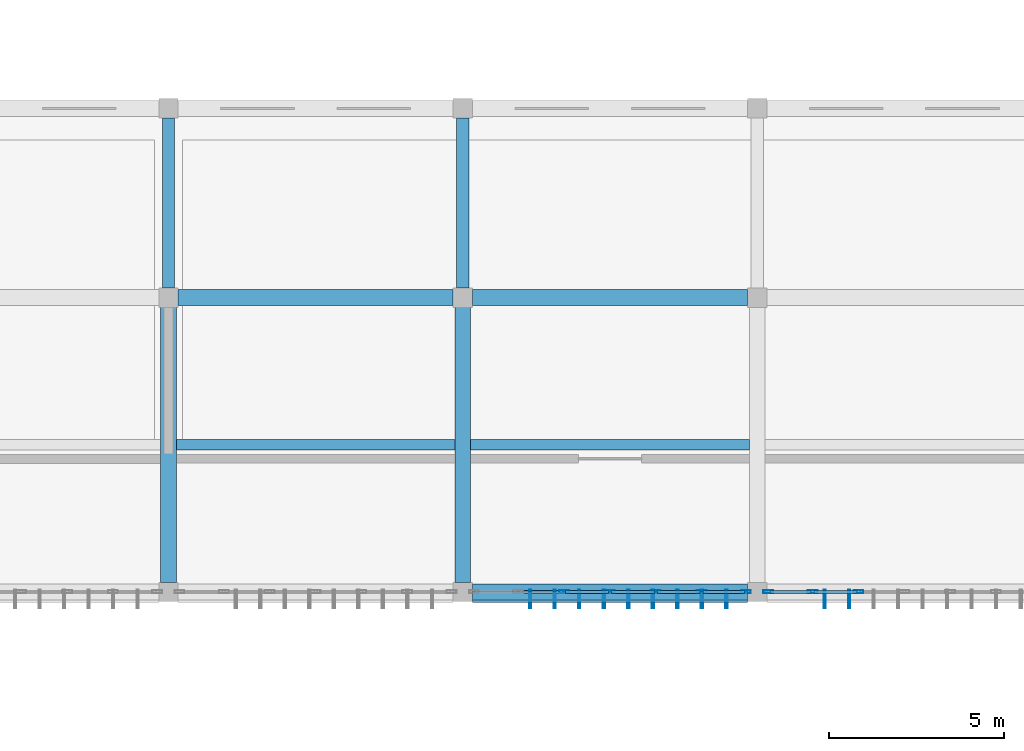
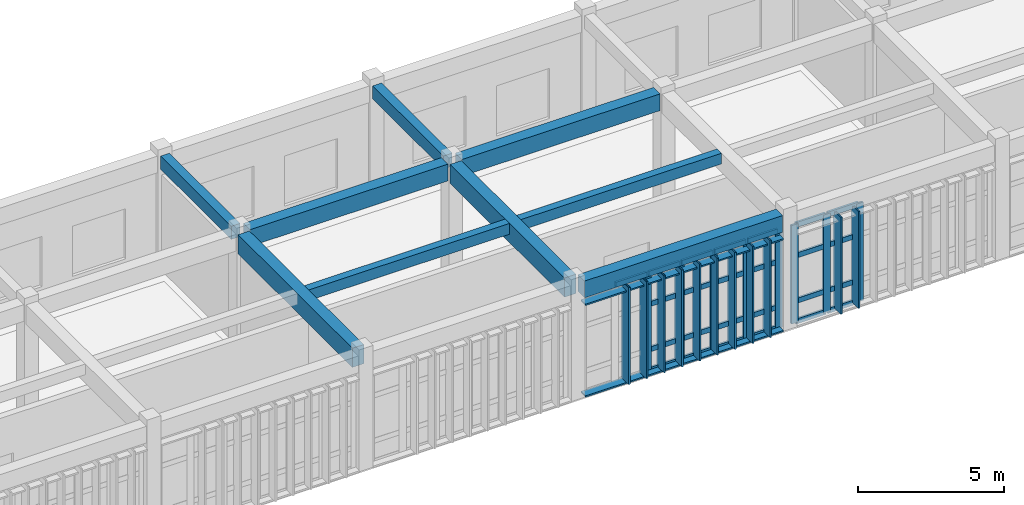
# One storey, part 45 of 106: 46 members, 9 beams, 2 elements without a shape of their own.
"""IFC4 building model written with IfcOpenShell, lengths in metres."""

from ifc_helpers import new_model, si_unit, direction, frame, origin, origin_2d, place, context, subcontext, project, spatial, rectangle, hollow_rectangle, extrude, material, layer, layer_set, material_profile, profile_set, type_object, element, aggregate, save


model = new_model("IFC4")

# Units and contexts
model_context = context("Model", 3, precision=1e-05, world=origin(), true_north=direction((0.0, 1.0)))
body_context = subcontext(model_context, "Body", "Model", "MODEL_VIEW")
ifc_project = project(units=[si_unit("LENGTHUNIT", "METRE"), si_unit("AREAUNIT", "SQUARE_METRE"), si_unit("VOLUMEUNIT", "CUBIC_METRE"), si_unit("PLANEANGLEUNIT", "RADIAN"), si_unit("MASSUNIT", "GRAM", prefix="KILO")], contexts=[model_context])

# Site, building, storey
site_placement = place(None, origin())
site = spatial("IfcSite", under=ifc_project, at=site_placement, CompositionType="ELEMENT")
building_placement = place(site_placement, origin())
building = spatial("IfcBuilding", under=site, at=building_placement, Name="Krzemoval Escarpment Law Courts", CompositionType="ELEMENT")
storey_placement = place(building_placement, frame((0.0, 0.0, 5.10009765625)))
storey = spatial("IfcBuildingStorey", under=building, at=storey_placement, Name="L01", CompositionType="ELEMENT", Elevation=5.10009765625)

# Beams
ifc_material_1 = material(Name="Concrete C40/50", Category="concrete")
ifc_material_profile_1 = material_profile(ifc_material_1, rectangle(XDim=0.35009765625, YDim=0.550048828125, at=origin_2d()), Name="RCB 350x550")
ifc_profile_set_1 = profile_set([ifc_material_profile_1], Name="Concrete C40/50")
beam_type_1 = type_object("IfcBeamType", Name="BM-RC-350x550", PredefinedType="BEAM", material=ifc_profile_set_1)
for number, where, z_axis, x_axis, name in (
    (1, (67.199951171875, 108.27490234375, 4.544921875), (0.0, 1.0, 0.0), (-1.0, 0.0, 0.0), "Beam FG-L01-1469"),
    (2, (75.60009765625, 108.27490234375, 4.544921875), (0.0, 1.0, 0.0), (-1.0, 0.0, 0.0), "Beam FG-L01-1475"),
):
    element("IfcBeam", number, at=place(storey_placement, frame(where, z_axis=z_axis, x_axis=x_axis)), inside=storey, type_object=beam_type_1, Name=name, PredefinedType="BEAM", context=body_context, shape_type="SweptSolid", body=[
        extrude(rectangle(XDim=0.35009765625, YDim=0.550048828125, at=origin_2d()), origin(), (0.0, 0.0, 1.0), 4.85009765625),
    ])
ifc_material_2 = material(Name="Concrete C40/50", Category="concrete")
ifc_material_profile_2 = material_profile(ifc_material_2, rectangle(XDim=0.449951171875, YDim=0.699951171875, at=origin_2d()), Name="RCB 450x700")
ifc_profile_set_2 = profile_set([ifc_material_profile_2], Name="Concrete C40/50")
beam_type_2 = type_object("IfcBeamType", Name="BM-RC-450x700", PredefinedType="BEAM", material=ifc_profile_set_2)
beam_1_placement = place(storey_placement, frame((75.875, 99.60009765625, 4.469970703125), z_axis=(1.0, 0.0, 0.0), x_axis=(0.0, 1.0, 0.0)))
element("IfcBeam", 3, at=beam_1_placement, inside=storey, type_object=beam_type_2, Name="Beam FG-L01-1308", PredefinedType="BEAM", context=body_context, shape_type="SweptSolid", body=[
    extrude(rectangle(XDim=0.449951171875, YDim=0.699951171875, at=origin_2d()), origin(), (0.0, 0.0, 1.0), 7.85009765625),
])
beam_2_placement = place(storey_placement, frame((67.47509765625, 108.0, 4.469970703125), z_axis=(1.0, 0.0, 0.0), x_axis=(0.0, 1.0, 0.0)))
element("IfcBeam", 4, at=beam_2_placement, inside=storey, type_object=beam_type_2, Name="Beam FG-L01-1326", PredefinedType="BEAM", context=body_context, shape_type="SweptSolid", body=[
    extrude(rectangle(XDim=0.449951171875, YDim=0.699951171875, at=origin_2d()), origin(), (0.0, 0.0, 1.0), 7.849853515625),
])
beam_3_placement = place(storey_placement, frame((75.875, 108.0, 4.469970703125), z_axis=(1.0, 0.0, 0.0), x_axis=(0.0, 1.0, 0.0)))
element("IfcBeam", 5, at=beam_3_placement, inside=storey, type_object=beam_type_2, Name="Beam FG-L01-1327", PredefinedType="BEAM", context=body_context, shape_type="SweptSolid", body=[
    extrude(rectangle(XDim=0.449951171875, YDim=0.699951171875, at=origin_2d()), origin(), (0.0, 0.0, 1.0), 7.85009765625),
])
ifc_material_3 = material(Name="Concrete C40/50", Category="concrete")
ifc_material_profile_3 = material_profile(ifc_material_3, rectangle(XDim=0.449951171875, YDim=0.800048828125, at=origin_2d()), Name="RCB 450x800")
ifc_profile_set_3 = profile_set([ifc_material_profile_3], Name="Concrete C40/50")
beam_type_3 = type_object("IfcBeamType", Name="BM-RC-450x800", PredefinedType="BEAM", material=ifc_profile_set_3)
for number, where, z_axis, x_axis, name in (
    (6, (67.199951171875, 99.875, 4.419921875), (0.0, 1.0, 0.0), (-1.0, 0.0, 0.0), "Beam FG-L01-1468"),
    (7, (75.60009765625, 99.875, 4.419921875), (0.0, 1.0, 0.0), (-1.0, 0.0, 0.0), "Beam FG-L01-1474"),
):
    element("IfcBeam", number, at=place(storey_placement, frame(where, z_axis=z_axis, x_axis=x_axis)), inside=storey, type_object=beam_type_3, Name=name, PredefinedType="BEAM", context=body_context, shape_type="SweptSolid", body=[
        extrude(rectangle(XDim=0.449951171875, YDim=0.800048828125, at=origin_2d()), origin(), (0.0, 0.0, 1.0), 7.85009765625),
    ])

# Curtain wall, members
ifc_material_4 = material(Name="Aluminium 6063-T6", Category="aluminium")
ifc_layer = layer(ifc_material_4, 0.280029296875)
ifc_layer_set = layer_set([ifc_layer], Name="Aluminium 6063-T6")
curtain_wall_type = type_object("IfcCurtainWallType", Name="CW-HALL-5100", PredefinedType="USERDEFINED", material=ifc_layer_set)
curtain_wall_1_placement = place(storey_placement, origin())
curtain_wall_1 = element("IfcCurtainWall", 8, at=curtain_wall_1_placement, inside=storey, type_object=curtain_wall_type, Name="Unitised Curtain Wall FCW-L01-050", ObjectType="UNITISED_CURTAIN_WALL", PredefinedType="USERDEFINED")
ifc_material_5 = material(Name="Aluminium 6063-T6", Category="aluminium")
ifc_material_profile_4 = material_profile(ifc_material_5, hollow_rectangle(XDim=0.0849609375, YDim=0.280029296875, WallThickness=0.005615234375, at=origin_2d()), Name="ALU M85x280")
ifc_profile_set_4 = profile_set([ifc_material_profile_4], Name="Aluminium 6063-T6")
member_type_1 = type_object("IfcMemberType", Name="CWM-85x280", PredefinedType="MULLION", material=ifc_profile_set_4)
member_1_placement = place(storey_placement, frame((86.8916015625, 99.60009765625, 0.0), z_axis=(0.0, 0.0, 1.0), x_axis=(0.0, -1.0, 0.0)))
member_1 = element("IfcMember", 9, at=member_1_placement, type_object=member_type_1, Name="FCW-L01-050 mullion 5", PredefinedType="MULLION", context=body_context, shape_type="SweptSolid", body=[
    extrude(hollow_rectangle(XDim=0.0849609375, YDim=0.280029296875, WallThickness=0.005615234375, at=origin_2d()), origin(), (0.0, 0.0, 1.0), 4.119873046875),
])
member_2_placement = place(storey_placement, frame((85.583251953125, 99.60009765625, 0.0), z_axis=(0.0, 0.0, 1.0), x_axis=(0.0, -1.0, 0.0)))
member_2 = element("IfcMember", 10, at=member_2_placement, type_object=member_type_1, Name="FCW-L01-050 mullion 6", PredefinedType="MULLION", context=body_context, shape_type="SweptSolid", body=[
    extrude(hollow_rectangle(XDim=0.0849609375, YDim=0.280029296875, WallThickness=0.005615234375, at=origin_2d()), origin(), (0.0, 0.0, 1.0), 4.119873046875),
])
member_3_placement = place(storey_placement, frame((84.3173828125, 99.60009765625, 0.0), z_axis=(0.0, 0.0, 1.0), x_axis=(0.0, -1.0, 0.0)))
member_3 = element("IfcMember", 11, at=member_3_placement, type_object=member_type_1, Name="FCW-L01-050 mullion 7", PredefinedType="MULLION", context=body_context, shape_type="SweptSolid", body=[
    extrude(hollow_rectangle(XDim=0.0849609375, YDim=0.280029296875, WallThickness=0.005615234375, at=origin_2d()), origin(), (0.0, 0.0, 1.0), 4.119873046875),
])

curtain_wall_2_placement = place(storey_placement, origin())
curtain_wall_2 = element("IfcCurtainWall", 12, at=curtain_wall_2_placement, inside=storey, type_object=curtain_wall_type, Name="Unitised Curtain Wall FCW-L01-051", ObjectType="UNITISED_CURTAIN_WALL", PredefinedType="USERDEFINED")
member_4_placement = place(storey_placement, frame((83.6826171875, 99.60009765625, 0.0), z_axis=(0.0, 0.0, 1.0), x_axis=(0.0, -1.0, 0.0)))
member_4 = element("IfcMember", 13, at=member_4_placement, type_object=member_type_1, Name="FCW-L01-051 mullion 1", PredefinedType="MULLION", context=body_context, shape_type="SweptSolid", body=[
    extrude(hollow_rectangle(XDim=0.0849609375, YDim=0.280029296875, WallThickness=0.005615234375, at=origin_2d()), origin(), (0.0, 0.0, 1.0), 4.119873046875),
])
member_5_placement = place(storey_placement, frame((82.416748046875, 99.60009765625, 0.0), z_axis=(0.0, 0.0, 1.0), x_axis=(0.0, -1.0, 0.0)))
member_5 = element("IfcMember", 14, at=member_5_placement, type_object=member_type_1, Name="FCW-L01-051 mullion 2", PredefinedType="MULLION", context=body_context, shape_type="SweptSolid", body=[
    extrude(hollow_rectangle(XDim=0.0849609375, YDim=0.280029296875, WallThickness=0.005615234375, at=origin_2d()), origin(), (0.0, 0.0, 1.0), 4.119873046875),
])
member_6_placement = place(storey_placement, frame((81.1083984375, 99.60009765625, 0.0), z_axis=(0.0, 0.0, 1.0), x_axis=(0.0, -1.0, 0.0)))
member_6 = element("IfcMember", 15, at=member_6_placement, type_object=member_type_1, Name="FCW-L01-051 mullion 3", PredefinedType="MULLION", context=body_context, shape_type="SweptSolid", body=[
    extrude(hollow_rectangle(XDim=0.0849609375, YDim=0.280029296875, WallThickness=0.005615234375, at=origin_2d()), origin(), (0.0, 0.0, 1.0), 4.119873046875),
])
member_7_placement = place(storey_placement, frame((79.800048828125, 99.60009765625, 0.0), z_axis=(0.0, 0.0, 1.0), x_axis=(0.0, -1.0, 0.0)))
member_7 = element("IfcMember", 16, at=member_7_placement, type_object=member_type_1, Name="FCW-L01-051 mullion 4", PredefinedType="MULLION", context=body_context, shape_type="SweptSolid", body=[
    extrude(hollow_rectangle(XDim=0.0849609375, YDim=0.280029296875, WallThickness=0.005615234375, at=origin_2d()), origin(), (0.0, 0.0, 1.0), 4.119873046875),
])
member_8_placement = place(storey_placement, frame((78.49169921875, 99.60009765625, 0.0), z_axis=(0.0, 0.0, 1.0), x_axis=(0.0, -1.0, 0.0)))
member_8 = element("IfcMember", 17, at=member_8_placement, type_object=member_type_1, Name="FCW-L01-051 mullion 5", PredefinedType="MULLION", context=body_context, shape_type="SweptSolid", body=[
    extrude(hollow_rectangle(XDim=0.0849609375, YDim=0.280029296875, WallThickness=0.005615234375, at=origin_2d()), origin(), (0.0, 0.0, 1.0), 4.119873046875),
])

# Member
ifc_material_6 = material(Name="Aluminium 6063-T6", Category="aluminium")
ifc_material_profile_5 = material_profile(ifc_material_6, hollow_rectangle(XDim=0.0849609375, YDim=0.2099609375, WallThickness=0.005615234375, at=origin_2d()), Name="ALU T85x210")
ifc_profile_set_5 = profile_set([ifc_material_profile_5], Name="Aluminium 6063-T6")
member_type_2 = type_object("IfcMemberType", Name="CWT-85x210", PredefinedType="USERDEFINED", material=ifc_profile_set_5)
member_9_placement = place(storey_placement, frame((86.84912109375, 99.60009765625, 0.04248046875), z_axis=(-1.0, 0.0, 0.0), x_axis=(0.0, -1.0, 0.0)))
member_9 = element("IfcMember", 18, at=member_9_placement, type_object=member_type_2, Name="FCW-L01-050 transom 5.1", ObjectType="TRANSOM", PredefinedType="USERDEFINED", context=body_context, shape_type="SweptSolid", body=[
    extrude(hollow_rectangle(XDim=0.0849609375, YDim=0.2099609375, WallThickness=0.005615234375, at=origin_2d()), origin(), (0.0, 0.0, 1.0), 1.223388671875),
])

member_10_placement = place(storey_placement, frame((86.84912109375, 99.60009765625, 0.89990234375), z_axis=(-1.0, 0.0, 0.0), x_axis=(0.0, -1.0, 0.0)))
member_10 = element("IfcMember", 19, at=member_10_placement, type_object=member_type_2, Name="FCW-L01-050 transom 5.2", ObjectType="TRANSOM", PredefinedType="USERDEFINED", context=body_context, shape_type="SweptSolid", body=[
    extrude(hollow_rectangle(XDim=0.0849609375, YDim=0.2099609375, WallThickness=0.005615234375, at=origin_2d()), origin(), (0.0, 0.0, 1.0), 1.223388671875),
])

member_11_placement = place(storey_placement, frame((86.84912109375, 99.60009765625, 2.7998046875), z_axis=(-1.0, 0.0, 0.0), x_axis=(0.0, -1.0, 0.0)))
member_11 = element("IfcMember", 20, at=member_11_placement, type_object=member_type_2, Name="FCW-L01-050 transom 5.3", ObjectType="TRANSOM", PredefinedType="USERDEFINED", context=body_context, shape_type="SweptSolid", body=[
    extrude(hollow_rectangle(XDim=0.0849609375, YDim=0.2099609375, WallThickness=0.005615234375, at=origin_2d()), origin(), (0.0, 0.0, 1.0), 1.223388671875),
])

member_12_placement = place(storey_placement, frame((86.84912109375, 99.60009765625, 4.077392578125), z_axis=(-1.0, 0.0, 0.0), x_axis=(0.0, -1.0, 0.0)))
member_12 = element("IfcMember", 21, at=member_12_placement, type_object=member_type_2, Name="FCW-L01-050 transom 5.4", ObjectType="TRANSOM", PredefinedType="USERDEFINED", context=body_context, shape_type="SweptSolid", body=[
    extrude(hollow_rectangle(XDim=0.0849609375, YDim=0.2099609375, WallThickness=0.005615234375, at=origin_2d()), origin(), (0.0, 0.0, 1.0), 1.223388671875),
])

member_13_placement = place(storey_placement, frame((85.540771484375, 99.60009765625, 0.04248046875), z_axis=(-1.0, 0.0, 0.0), x_axis=(0.0, -1.0, 0.0)))
member_13 = element("IfcMember", 22, at=member_13_placement, type_object=member_type_2, Name="FCW-L01-050 transom 6.1", ObjectType="TRANSOM", PredefinedType="USERDEFINED", context=body_context, shape_type="SweptSolid", body=[
    extrude(hollow_rectangle(XDim=0.0849609375, YDim=0.2099609375, WallThickness=0.005615234375, at=origin_2d()), origin(), (0.0, 0.0, 1.0), 1.1806640625),
])

member_14_placement = place(storey_placement, frame((85.540771484375, 99.60009765625, 0.89990234375), z_axis=(-1.0, 0.0, 0.0), x_axis=(0.0, -1.0, 0.0)))
member_14 = element("IfcMember", 23, at=member_14_placement, type_object=member_type_2, Name="FCW-L01-050 transom 6.2", ObjectType="TRANSOM", PredefinedType="USERDEFINED", context=body_context, shape_type="SweptSolid", body=[
    extrude(hollow_rectangle(XDim=0.0849609375, YDim=0.2099609375, WallThickness=0.005615234375, at=origin_2d()), origin(), (0.0, 0.0, 1.0), 1.1806640625),
])

member_15_placement = place(storey_placement, frame((85.540771484375, 99.60009765625, 2.7998046875), z_axis=(-1.0, 0.0, 0.0), x_axis=(0.0, -1.0, 0.0)))
member_15 = element("IfcMember", 24, at=member_15_placement, type_object=member_type_2, Name="FCW-L01-050 transom 6.3", ObjectType="TRANSOM", PredefinedType="USERDEFINED", context=body_context, shape_type="SweptSolid", body=[
    extrude(hollow_rectangle(XDim=0.0849609375, YDim=0.2099609375, WallThickness=0.005615234375, at=origin_2d()), origin(), (0.0, 0.0, 1.0), 1.1806640625),
])

member_16_placement = place(storey_placement, frame((85.540771484375, 99.60009765625, 4.077392578125), z_axis=(-1.0, 0.0, 0.0), x_axis=(0.0, -1.0, 0.0)))
member_16 = element("IfcMember", 25, at=member_16_placement, type_object=member_type_2, Name="FCW-L01-050 transom 6.4", ObjectType="TRANSOM", PredefinedType="USERDEFINED", context=body_context, shape_type="SweptSolid", body=[
    extrude(hollow_rectangle(XDim=0.0849609375, YDim=0.2099609375, WallThickness=0.005615234375, at=origin_2d()), origin(), (0.0, 0.0, 1.0), 1.1806640625),
])

aggregate(curtain_wall_1, [member_1, member_2, member_3, member_9, member_10, member_11, member_12, member_13, member_14, member_15, member_16])

member_17_placement = place(storey_placement, frame((83.639892578125, 99.60009765625, 0.04248046875), z_axis=(-1.0, 0.0, 0.0), x_axis=(0.0, -1.0, 0.0)))
member_17 = element("IfcMember", 26, at=member_17_placement, type_object=member_type_2, Name="FCW-L01-051 transom 1.1", ObjectType="TRANSOM", PredefinedType="USERDEFINED", context=body_context, shape_type="SweptSolid", body=[
    extrude(hollow_rectangle(XDim=0.0849609375, YDim=0.2099609375, WallThickness=0.005615234375, at=origin_2d()), origin(), (0.0, 0.0, 1.0), 1.1806640625),
])

member_18_placement = place(storey_placement, frame((83.639892578125, 99.60009765625, 0.89990234375), z_axis=(-1.0, 0.0, 0.0), x_axis=(0.0, -1.0, 0.0)))
member_18 = element("IfcMember", 27, at=member_18_placement, type_object=member_type_2, Name="FCW-L01-051 transom 1.2", ObjectType="TRANSOM", PredefinedType="USERDEFINED", context=body_context, shape_type="SweptSolid", body=[
    extrude(hollow_rectangle(XDim=0.0849609375, YDim=0.2099609375, WallThickness=0.005615234375, at=origin_2d()), origin(), (0.0, 0.0, 1.0), 1.1806640625),
])

member_19_placement = place(storey_placement, frame((83.639892578125, 99.60009765625, 2.7998046875), z_axis=(-1.0, 0.0, 0.0), x_axis=(0.0, -1.0, 0.0)))
member_19 = element("IfcMember", 28, at=member_19_placement, type_object=member_type_2, Name="FCW-L01-051 transom 1.3", ObjectType="TRANSOM", PredefinedType="USERDEFINED", context=body_context, shape_type="SweptSolid", body=[
    extrude(hollow_rectangle(XDim=0.0849609375, YDim=0.2099609375, WallThickness=0.005615234375, at=origin_2d()), origin(), (0.0, 0.0, 1.0), 1.1806640625),
])

member_20_placement = place(storey_placement, frame((83.639892578125, 99.60009765625, 4.077392578125), z_axis=(-1.0, 0.0, 0.0), x_axis=(0.0, -1.0, 0.0)))
member_20 = element("IfcMember", 29, at=member_20_placement, type_object=member_type_2, Name="FCW-L01-051 transom 1.4", ObjectType="TRANSOM", PredefinedType="USERDEFINED", context=body_context, shape_type="SweptSolid", body=[
    extrude(hollow_rectangle(XDim=0.0849609375, YDim=0.2099609375, WallThickness=0.005615234375, at=origin_2d()), origin(), (0.0, 0.0, 1.0), 1.1806640625),
])

member_21_placement = place(storey_placement, frame((82.374267578125, 99.60009765625, 0.04248046875), z_axis=(-1.0, 0.0, 0.0), x_axis=(0.0, -1.0, 0.0)))
member_21 = element("IfcMember", 30, at=member_21_placement, type_object=member_type_2, Name="FCW-L01-051 transom 2.1", ObjectType="TRANSOM", PredefinedType="USERDEFINED", context=body_context, shape_type="SweptSolid", body=[
    extrude(hollow_rectangle(XDim=0.0849609375, YDim=0.2099609375, WallThickness=0.005615234375, at=origin_2d()), origin(), (0.0, 0.0, 1.0), 1.223388671875),
])

member_22_placement = place(storey_placement, frame((82.374267578125, 99.60009765625, 0.89990234375), z_axis=(-1.0, 0.0, 0.0), x_axis=(0.0, -1.0, 0.0)))
member_22 = element("IfcMember", 31, at=member_22_placement, type_object=member_type_2, Name="FCW-L01-051 transom 2.2", ObjectType="TRANSOM", PredefinedType="USERDEFINED", context=body_context, shape_type="SweptSolid", body=[
    extrude(hollow_rectangle(XDim=0.0849609375, YDim=0.2099609375, WallThickness=0.005615234375, at=origin_2d()), origin(), (0.0, 0.0, 1.0), 1.223388671875),
])

member_23_placement = place(storey_placement, frame((82.374267578125, 99.60009765625, 2.7998046875), z_axis=(-1.0, 0.0, 0.0), x_axis=(0.0, -1.0, 0.0)))
member_23 = element("IfcMember", 32, at=member_23_placement, type_object=member_type_2, Name="FCW-L01-051 transom 2.3", ObjectType="TRANSOM", PredefinedType="USERDEFINED", context=body_context, shape_type="SweptSolid", body=[
    extrude(hollow_rectangle(XDim=0.0849609375, YDim=0.2099609375, WallThickness=0.005615234375, at=origin_2d()), origin(), (0.0, 0.0, 1.0), 1.223388671875),
])

member_24_placement = place(storey_placement, frame((82.374267578125, 99.60009765625, 4.077392578125), z_axis=(-1.0, 0.0, 0.0), x_axis=(0.0, -1.0, 0.0)))
member_24 = element("IfcMember", 33, at=member_24_placement, type_object=member_type_2, Name="FCW-L01-051 transom 2.4", ObjectType="TRANSOM", PredefinedType="USERDEFINED", context=body_context, shape_type="SweptSolid", body=[
    extrude(hollow_rectangle(XDim=0.0849609375, YDim=0.2099609375, WallThickness=0.005615234375, at=origin_2d()), origin(), (0.0, 0.0, 1.0), 1.223388671875),
])

member_25_placement = place(storey_placement, frame((81.06591796875, 99.60009765625, 0.04248046875), z_axis=(-1.0, 0.0, 0.0), x_axis=(0.0, -1.0, 0.0)))
member_25 = element("IfcMember", 34, at=member_25_placement, type_object=member_type_2, Name="FCW-L01-051 transom 3.1", ObjectType="TRANSOM", PredefinedType="USERDEFINED", context=body_context, shape_type="SweptSolid", body=[
    extrude(hollow_rectangle(XDim=0.0849609375, YDim=0.2099609375, WallThickness=0.005615234375, at=origin_2d()), origin(), (0.0, 0.0, 1.0), 1.223388671875),
])

member_26_placement = place(storey_placement, frame((81.06591796875, 99.60009765625, 0.89990234375), z_axis=(-1.0, 0.0, 0.0), x_axis=(0.0, -1.0, 0.0)))
member_26 = element("IfcMember", 35, at=member_26_placement, type_object=member_type_2, Name="FCW-L01-051 transom 3.2", ObjectType="TRANSOM", PredefinedType="USERDEFINED", context=body_context, shape_type="SweptSolid", body=[
    extrude(hollow_rectangle(XDim=0.0849609375, YDim=0.2099609375, WallThickness=0.005615234375, at=origin_2d()), origin(), (0.0, 0.0, 1.0), 1.223388671875),
])

member_27_placement = place(storey_placement, frame((81.06591796875, 99.60009765625, 2.7998046875), z_axis=(-1.0, 0.0, 0.0), x_axis=(0.0, -1.0, 0.0)))
member_27 = element("IfcMember", 36, at=member_27_placement, type_object=member_type_2, Name="FCW-L01-051 transom 3.3", ObjectType="TRANSOM", PredefinedType="USERDEFINED", context=body_context, shape_type="SweptSolid", body=[
    extrude(hollow_rectangle(XDim=0.0849609375, YDim=0.2099609375, WallThickness=0.005615234375, at=origin_2d()), origin(), (0.0, 0.0, 1.0), 1.223388671875),
])

member_28_placement = place(storey_placement, frame((81.06591796875, 99.60009765625, 4.077392578125), z_axis=(-1.0, 0.0, 0.0), x_axis=(0.0, -1.0, 0.0)))
member_28 = element("IfcMember", 37, at=member_28_placement, type_object=member_type_2, Name="FCW-L01-051 transom 3.4", ObjectType="TRANSOM", PredefinedType="USERDEFINED", context=body_context, shape_type="SweptSolid", body=[
    extrude(hollow_rectangle(XDim=0.0849609375, YDim=0.2099609375, WallThickness=0.005615234375, at=origin_2d()), origin(), (0.0, 0.0, 1.0), 1.223388671875),
])

member_29_placement = place(storey_placement, frame((79.757568359375, 99.60009765625, 0.04248046875), z_axis=(-1.0, 0.0, 0.0), x_axis=(0.0, -1.0, 0.0)))
member_29 = element("IfcMember", 38, at=member_29_placement, type_object=member_type_2, Name="FCW-L01-051 transom 4.1", ObjectType="TRANSOM", PredefinedType="USERDEFINED", context=body_context, shape_type="SweptSolid", body=[
    extrude(hollow_rectangle(XDim=0.0849609375, YDim=0.2099609375, WallThickness=0.005615234375, at=origin_2d()), origin(), (0.0, 0.0, 1.0), 1.223388671875),
])

member_30_placement = place(storey_placement, frame((79.757568359375, 99.60009765625, 0.89990234375), z_axis=(-1.0, 0.0, 0.0), x_axis=(0.0, -1.0, 0.0)))
member_30 = element("IfcMember", 39, at=member_30_placement, type_object=member_type_2, Name="FCW-L01-051 transom 4.2", ObjectType="TRANSOM", PredefinedType="USERDEFINED", context=body_context, shape_type="SweptSolid", body=[
    extrude(hollow_rectangle(XDim=0.0849609375, YDim=0.2099609375, WallThickness=0.005615234375, at=origin_2d()), origin(), (0.0, 0.0, 1.0), 1.223388671875),
])

member_31_placement = place(storey_placement, frame((79.757568359375, 99.60009765625, 2.7998046875), z_axis=(-1.0, 0.0, 0.0), x_axis=(0.0, -1.0, 0.0)))
member_31 = element("IfcMember", 40, at=member_31_placement, type_object=member_type_2, Name="FCW-L01-051 transom 4.3", ObjectType="TRANSOM", PredefinedType="USERDEFINED", context=body_context, shape_type="SweptSolid", body=[
    extrude(hollow_rectangle(XDim=0.0849609375, YDim=0.2099609375, WallThickness=0.005615234375, at=origin_2d()), origin(), (0.0, 0.0, 1.0), 1.223388671875),
])

member_32_placement = place(storey_placement, frame((79.757568359375, 99.60009765625, 4.077392578125), z_axis=(-1.0, 0.0, 0.0), x_axis=(0.0, -1.0, 0.0)))
member_32 = element("IfcMember", 41, at=member_32_placement, type_object=member_type_2, Name="FCW-L01-051 transom 4.4", ObjectType="TRANSOM", PredefinedType="USERDEFINED", context=body_context, shape_type="SweptSolid", body=[
    extrude(hollow_rectangle(XDim=0.0849609375, YDim=0.2099609375, WallThickness=0.005615234375, at=origin_2d()), origin(), (0.0, 0.0, 1.0), 1.223388671875),
])

member_33_placement = place(storey_placement, frame((78.44921875, 99.60009765625, 4.077392578125), z_axis=(-1.0, 0.0, 0.0), x_axis=(0.0, -1.0, 0.0)))
member_33 = element("IfcMember", 42, at=member_33_placement, type_object=member_type_2, Name="FCW-L01-051 transom 5.4", ObjectType="TRANSOM", PredefinedType="USERDEFINED", context=body_context, shape_type="SweptSolid", body=[
    extrude(hollow_rectangle(XDim=0.0849609375, YDim=0.2099609375, WallThickness=0.005615234375, at=origin_2d()), origin(), (0.0, 0.0, 1.0), 1.223388671875),
])

aggregate(curtain_wall_2, [member_4, member_5, member_6, member_7, member_8, member_17, member_18, member_19, member_20, member_21, member_22, member_23, member_24, member_25, member_26, member_27, member_28, member_29, member_30, member_31, member_32, member_33])

# Beams
ifc_material_7 = material(Name="Concrete C40/50", Category="concrete")
ifc_material_profile_6 = material_profile(ifc_material_7, rectangle(XDim=0.300048828125, YDim=0.449951171875, at=origin_2d()), Name="RCB 300x450")
ifc_profile_set_6 = profile_set([ifc_material_profile_6], Name="Concrete C40/50")
beam_type_4 = type_object("IfcBeamType", Name="JST-RC-300x450", PredefinedType="JOIST", material=ifc_profile_set_6)
for number, where, z_axis, x_axis, name in (
    (43, (67.425048828125, 103.800048828125, 4.594970703125), (1.0, 0.0, 0.0), (0.0, 1.0, 0.0), "Secondary Joist FJ-L01-1650"),
    (44, (75.824951171875, 103.800048828125, 4.594970703125), (1.0, 0.0, 0.0), (0.0, 1.0, 0.0), "Secondary Joist FJ-L01-1655"),
):
    element("IfcBeam", number, at=place(storey_placement, frame(where, z_axis=z_axis, x_axis=x_axis)), inside=storey, type_object=beam_type_4, Name=name, PredefinedType="JOIST", context=body_context, shape_type="SweptSolid", body=[
        extrude(rectangle(XDim=0.300048828125, YDim=0.449951171875, at=origin_2d()), origin(), (0.0, 0.0, 1.0), 7.949951171875),
    ])

# Members
ifc_material_8 = material(Name="Anodised Aluminium Alloy 6063-T6", Category="aluminium")
ifc_material_profile_7 = material_profile(ifc_material_8, hollow_rectangle(XDim=0.06005859375, YDim=0.320068359375, WallThickness=0.00390625, at=origin_2d()), Name="ALU LVR 60x320")
ifc_profile_set_7 = profile_set([ifc_material_profile_7], Name="Anodised Aluminium Alloy 6063-T6")
member_type_3 = type_object("IfcMemberType", Name="LVR-ALU-320", PredefinedType="USERDEFINED", material=ifc_profile_set_7)
for number, where, z_axis, x_axis, name in (
    (45, (83.72509765625, 99.4599609375, 0.02978515625), (-1.0, 0.0, 0.0), (0.0, 0.0, 1.0), "Sunshade Support Rail FSR-L01-0235"),
    (46, (83.72509765625, 99.4599609375, 3.869873046875), (-1.0, 0.0, 0.0), (0.0, 0.0, 1.0), "Sunshade Support Rail FSR-L01-0236"),
):
    element("IfcMember", number, at=place(storey_placement, frame(where, z_axis=z_axis, x_axis=x_axis)), inside=storey, type_object=member_type_3, Name=name, ObjectType="SUNSHADE_LOUVRE", PredefinedType="USERDEFINED", context=body_context, shape_type="SweptSolid", body=[
        extrude(hollow_rectangle(XDim=0.06005859375, YDim=0.320068359375, WallThickness=0.00390625, at=origin_2d()), origin(), (0.0, 0.0, 1.0), 7.85009765625),
    ])
ifc_material_9 = material(Name="Anodised Aluminium Alloy 6063-T6", Category="aluminium")
ifc_material_profile_8 = material_profile(ifc_material_9, hollow_rectangle(XDim=0.06494140625, YDim=0.52001953125, WallThickness=0.00439453125, at=origin_2d()), Name="ALU LVR 65x520")
ifc_profile_set_8 = profile_set([ifc_material_profile_8], Name="Anodised Aluminium Alloy 6063-T6")
member_type_4 = type_object("IfcMemberType", Name="LVR-ALU-520", PredefinedType="USERDEFINED", material=ifc_profile_set_8)
for number, where, z_axis, x_axis, name in (
    (47, (86.625, 99.39990234375, 0.059814453125), (0.0, 0.0, 1.0), (1.0, 0.0, 0.0), "Sunshade Louvre Fin FLV-L01-0233"),
    (48, (85.925048828125, 99.39990234375, 0.059814453125), (0.0, 0.0, 1.0), (1.0, 0.0, 0.0), "Sunshade Louvre Fin FLV-L01-0234"),
    (49, (83.125, 99.39990234375, 0.059814453125), (0.0, 0.0, 1.0), (1.0, 0.0, 0.0), "Sunshade Louvre Fin FLV-L01-0237"),
    (50, (82.425048828125, 99.39990234375, 0.059814453125), (0.0, 0.0, 1.0), (1.0, 0.0, 0.0), "Sunshade Louvre Fin FLV-L01-0238"),
    (51, (81.72509765625, 99.39990234375, 0.059814453125), (0.0, 0.0, 1.0), (1.0, 0.0, 0.0), "Sunshade Louvre Fin FLV-L01-0239"),
    (52, (81.02490234375, 99.39990234375, 0.059814453125), (0.0, 0.0, 1.0), (1.0, 0.0, 0.0), "Sunshade Louvre Fin FLV-L01-0240"),
    (53, (80.324951171875, 99.39990234375, 0.059814453125), (0.0, 0.0, 1.0), (1.0, 0.0, 0.0), "Sunshade Louvre Fin FLV-L01-0241"),
    (54, (79.625, 99.39990234375, 0.059814453125), (0.0, 0.0, 1.0), (1.0, 0.0, 0.0), "Sunshade Louvre Fin FLV-L01-0242"),
    (55, (78.925048828125, 99.39990234375, 0.059814453125), (0.0, 0.0, 1.0), (1.0, 0.0, 0.0), "Sunshade Louvre Fin FLV-L01-0243"),
    (56, (78.22509765625, 99.39990234375, 0.059814453125), (0.0, 0.0, 1.0), (1.0, 0.0, 0.0), "Sunshade Louvre Fin FLV-L01-0244"),
    (57, (77.52490234375, 99.39990234375, 0.059814453125), (0.0, 0.0, 1.0), (1.0, 0.0, 0.0), "Sunshade Louvre Fin FLV-L01-0245"),
):
    element("IfcMember", number, at=place(storey_placement, frame(where, z_axis=z_axis, x_axis=x_axis)), inside=storey, type_object=member_type_4, Name=name, ObjectType="SUNSHADE_LOUVRE", PredefinedType="USERDEFINED", context=body_context, shape_type="SweptSolid", body=[
        extrude(hollow_rectangle(XDim=0.06494140625, YDim=0.52001953125, WallThickness=0.00439453125, at=origin_2d()), origin(), (0.0, 0.0, 1.0), 4.06005859375),
    ])

save(model, "model.ifc")
